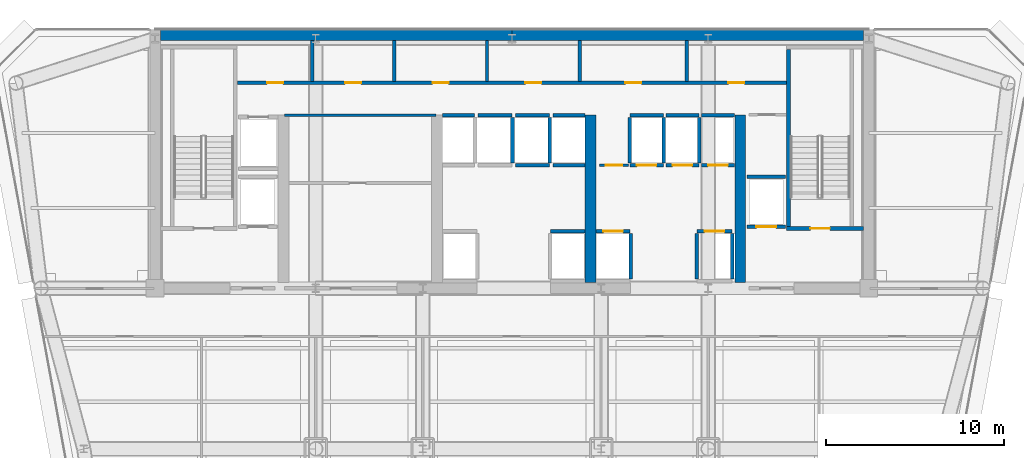
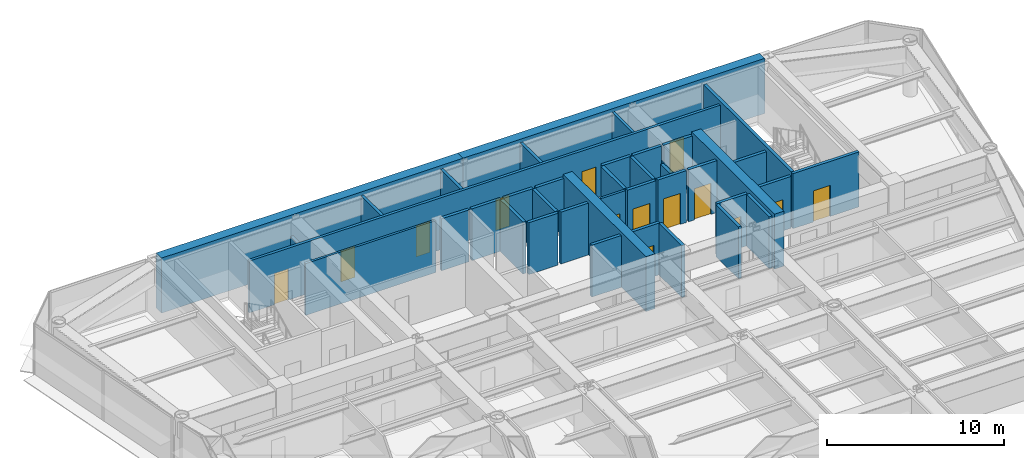
# One storey, part 11 of 16: 39 walls, 14 doors, 14 openings.
"""IFC4 building model written with IfcOpenShell, lengths in metres."""

from ifc_helpers import new_model, si_unit, direction, frame, frame_2d, origin, place, context, subcontext, project, spatial, rectangle, extrude, source, transform, mapped, material, layer, layer_set, type_object, element, fill, save


model = new_model("IFC4")

# Units and contexts
model_context = context("Model", 3, precision=1e-05, world=origin(), true_north=direction((0.0, 1.0)))
body_context = subcontext(model_context, "Body", "Model", "MODEL_VIEW")
ifc_project = project(units=[si_unit("LENGTHUNIT", "METRE"), si_unit("AREAUNIT", "SQUARE_METRE"), si_unit("VOLUMEUNIT", "CUBIC_METRE"), si_unit("PLANEANGLEUNIT", "RADIAN"), si_unit("MASSUNIT", "GRAM", prefix="KILO")], contexts=[model_context])

# Site, building, storey
site_placement = place(None, origin())
site = spatial("IfcSite", under=ifc_project, at=site_placement, CompositionType="ELEMENT")
building_placement = place(site_placement, origin())
building = spatial("IfcBuilding", under=site, at=building_placement, Name="Vaeldorn Concourse Tower", CompositionType="ELEMENT")
storey_placement = place(building_placement, frame((0.0, 0.0, 203.199951171875)))
storey = spatial("IfcBuildingStorey", under=building, at=storey_placement, Name="L52", CompositionType="ELEMENT", Elevation=203.199951171875)

# Walls
ifc_material_1 = material(Name="Concrete C50/60", Category="concrete")
ifc_layer_1 = layer(ifc_material_1, 0.60009765625)
ifc_layer_set_1 = layer_set([ifc_layer_1], Name="Concrete C50/60")
wall_type_1 = type_object("IfcWallType", Name="WL-CORE-600", PredefinedType="SHEAR", material=ifc_layer_set_1)
for number, where, z_axis, x_axis, name in (
    (1, (14.303955078125, 50.699951171875, 0.0), (0.0, 0.0, 1.0), (1.0, 0.0, 0.0), "Rear Core Shear Wall L52 N1"),
    (2, (34.001953125, 50.699951171875, 0.0), (0.0, 0.0, 1.0), (1.0, 0.0, 0.0), "Rear Core Shear Wall L52 N2"),
):
    element("IfcWall", number, at=place(storey_placement, frame(where, z_axis=z_axis, x_axis=x_axis)), inside=storey, type_object=wall_type_1, Name=name, PredefinedType="SHEAR", context=body_context, shape_type="SweptSolid", body=[
        extrude(rectangle(XDim=19.694091796875, YDim=0.60009765625, at=frame_2d((9.84716796875, 0.0))), origin(), (0.0, 0.0, 1.0), 3.800048828125),
    ])
for number, where, z_axis, x_axis, name in (
    (3, (38.39990234375, 36.820068359375, 0.0), (0.0, 0.0, 1.0), (0.0, 1.0, 0.0), "Rear Core Shear Wall L52 M3"),
    (4, (46.800048828125, 36.820068359375, 0.0), (0.0, 0.0, 1.0), (0.0, 1.0, 0.0), "Rear Core Shear Wall L52 M4"),
):
    element("IfcWall", number, at=place(storey_placement, frame(where, z_axis=z_axis, x_axis=x_axis)), inside=storey, type_object=wall_type_1, Name=name, PredefinedType="SHEAR", context=body_context, shape_type="SweptSolid", body=[
        extrude(rectangle(XDim=9.3798828125, YDim=0.60009765625, at=frame_2d((4.68994140625, 0.0))), origin(), (0.0, 0.0, 1.0), 3.800048828125),
    ])
ifc_material_2 = material(Name="Gypsum Board Partition", Category="gypsum")
ifc_layer_2 = layer(ifc_material_2, 0.14990234375)
ifc_layer_set_2 = layer_set([ifc_layer_2], Name="Gypsum Board Partition")
wall_type_2 = type_object("IfcWallType", Name="WL-PART-150", PredefinedType="PARTITIONING", material=ifc_layer_set_2)
wall_1_placement = place(storey_placement, frame((21.25, 46.199951171875, 0.0), z_axis=(0.0, 0.0, 1.0), x_axis=(1.0, 0.0, 0.0)))
element("IfcWall", 5, at=wall_1_placement, inside=storey, type_object=wall_type_2, Name="Interior Wall CW-L52-R1N", PredefinedType="PARTITIONING", context=body_context, shape_type="SweptSolid", body=[
    extrude(rectangle(XDim=8.5, YDim=0.14990234375, at=frame_2d((4.25, 0.0))), origin(), (0.0, 0.0, 1.0), 3.580078125),
])

# Wall, opening, door
wall_2_placement = place(storey_placement, frame((38.919921875, 43.39990234375, 0.0), z_axis=(0.0, 0.0, 1.0), x_axis=(1.0, 0.0, 0.0)))
wall_2 = element("IfcWall", 6, at=wall_2_placement, inside=storey, type_object=wall_type_2, Name="Interior Wall CW-L52-CCLINK", PredefinedType="PARTITIONING", context=body_context, shape_type="SweptSolid", body=[
    extrude(rectangle(XDim=1.60009765625, YDim=0.14990234375, at=frame_2d((0.800048828125, 0.0))), origin(), (0.0, 0.0, 1.0), 3.580078125),
])
opening_1_placement = place(wall_2_placement, frame((0.35009765625, 0.0, 0.0)))
opening_1 = element("IfcOpeningElement", 7, at=opening_1_placement, cuts=wall_2, Name="Opening D-02", PredefinedType="OPENING", context=body_context, shape_type="SweptSolid", body=[
    extrude(rectangle(XDim=0.89990234375, YDim=2.10009765625, at=frame_2d((0.449951171875, 1.050048828125))), frame((0.0, 0.0849609375, 0.0), z_axis=(0.0, -1.0, 0.0), x_axis=(1.0, 0.0, 0.0)), (0.0, 0.0, 1.0), 0.169921875),
])
ifc_material_3 = material(Name="Fire-Rated Timber Leaf", Category="wood")
door_type_1 = type_object("IfcDoorType", Name="DR-FD30-900", OperationType="NOTDEFINED", PredefinedType="DOOR", material=ifc_material_3)
shared_shape_1 = source(origin(), body_context, "Body", "SweptSolid", [
    extrude(rectangle(XDim=0.89990234375, YDim=2.10009765625, at=frame_2d((0.449951171875, 1.050048828125))), frame((0.0, 0.02490234375, 0.0), z_axis=(0.0, -1.0, 0.0), x_axis=(1.0, 0.0, 0.0)), (0.0, 0.0, 1.0), 0.050048828125),
])
door_1_placement = place(opening_1_placement, origin())
door_1 = element("IfcDoor", 8, at=door_1_placement, inside=storey, type_object=door_type_1, Name="Interior Door DR-L52-CCLINK", OperationType="SINGLE_SWING_LEFT", OverallHeight=2.10009765625, OverallWidth=0.89990234375, PredefinedType="DOOR", context=body_context, shape_type="MappedRepresentation", body=[
    mapped(shared_shape_1, transform((0.0, 0.0, 0.0), scale=1.0)),
])
fill(opening_1, door_1)

# Wall, openings, doors
ifc_layer_3 = layer(ifc_material_2, 0.179931640625)
ifc_layer_set_3 = layer_set([ifc_layer_3], Name="Gypsum Board Partition")
wall_type_3 = type_object("IfcWallType", Name="WL-PLUMB-180", PredefinedType="PLUMBINGWALL", material=ifc_layer_set_3)
wall_3_placement = place(storey_placement, frame((18.6201171875, 48.02001953125, 0.0), z_axis=(0.0, 0.0, 1.0), x_axis=(1.0, 0.0, 0.0)))
wall_3 = element("IfcWall", 9, at=wall_3_placement, inside=storey, type_object=wall_type_3, Name="Interior Wall CW-L52-NS3", PredefinedType="PLUMBINGWALL", context=body_context, shape_type="SweptSolid", body=[
    extrude(rectangle(XDim=30.759765625, YDim=0.179931640625, at=frame_2d((15.3798828125, 0.0))), origin(), (0.0, 0.0, 1.0), 3.580078125),
])
opening_2_placement = place(wall_3_placement, frame((1.655029296875, 0.0, 0.0)))
opening_2 = element("IfcOpeningElement", 10, at=opening_2_placement, cuts=wall_3, Name="Opening D-03", PredefinedType="OPENING", context=body_context, shape_type="SweptSolid", body=[
    extrude(rectangle(XDim=0.89990234375, YDim=2.14990234375, at=frame_2d((0.449951171875, 1.074951171875))), frame((0.0, 0.10009765625, 0.0), z_axis=(0.0, -1.0, 0.0), x_axis=(1.0, 0.0, 0.0)), (0.0, 0.0, 1.0), 0.199951171875),
])
opening_3_placement = place(wall_3_placement, frame((6.030029296875, 0.0, 0.0)))
opening_3 = element("IfcOpeningElement", 11, at=opening_3_placement, cuts=wall_3, Name="Opening D-03", PredefinedType="OPENING", context=body_context, shape_type="SweptSolid", body=[
    extrude(rectangle(XDim=0.89990234375, YDim=2.14990234375, at=frame_2d((0.449951171875, 1.074951171875))), frame((0.0, 0.10009765625, 0.0), z_axis=(0.0, -1.0, 0.0), x_axis=(1.0, 0.0, 0.0)), (0.0, 0.0, 1.0), 0.199951171875),
])
opening_4_placement = place(wall_3_placement, frame((10.929931640625, 0.0, 0.0)))
opening_4 = element("IfcOpeningElement", 12, at=opening_4_placement, cuts=wall_3, Name="Opening D-03", PredefinedType="OPENING", context=body_context, shape_type="SweptSolid", body=[
    extrude(rectangle(XDim=0.89990234375, YDim=2.14990234375, at=frame_2d((0.449951171875, 1.074951171875))), frame((0.0, 0.10009765625, 0.0), z_axis=(0.0, -1.0, 0.0), x_axis=(1.0, 0.0, 0.0)), (0.0, 0.0, 1.0), 0.199951171875),
])
opening_5_placement = place(wall_3_placement, frame((16.1298828125, 0.0, 0.0)))
opening_5 = element("IfcOpeningElement", 13, at=opening_5_placement, cuts=wall_3, Name="Opening D-03", PredefinedType="OPENING", context=body_context, shape_type="SweptSolid", body=[
    extrude(rectangle(XDim=0.89990234375, YDim=2.14990234375, at=frame_2d((0.449951171875, 1.074951171875))), frame((0.0, 0.10009765625, 0.0), z_axis=(0.0, -1.0, 0.0), x_axis=(1.0, 0.0, 0.0)), (0.0, 0.0, 1.0), 0.199951171875),
])
opening_6_placement = place(wall_3_placement, frame((21.72998046875, 0.0, 0.0)))
opening_6 = element("IfcOpeningElement", 14, at=opening_6_placement, cuts=wall_3, Name="Opening D-03", PredefinedType="OPENING", context=body_context, shape_type="SweptSolid", body=[
    extrude(rectangle(XDim=0.89990234375, YDim=2.14990234375, at=frame_2d((0.449951171875, 1.074951171875))), frame((0.0, 0.10009765625, 0.0), z_axis=(0.0, -1.0, 0.0), x_axis=(1.0, 0.0, 0.0)), (0.0, 0.0, 1.0), 0.199951171875),
])
opening_7_placement = place(wall_3_placement, frame((27.5048828125, 0.0, 0.0)))
opening_7 = element("IfcOpeningElement", 15, at=opening_7_placement, cuts=wall_3, Name="Opening D-03", PredefinedType="OPENING", context=body_context, shape_type="SweptSolid", body=[
    extrude(rectangle(XDim=0.89990234375, YDim=2.14990234375, at=frame_2d((0.449951171875, 1.074951171875))), frame((0.0, 0.10009765625, 0.0), z_axis=(0.0, -1.0, 0.0), x_axis=(1.0, 0.0, 0.0)), (0.0, 0.0, 1.0), 0.199951171875),
])
ifc_material_4 = material(Name="Acoustic Bronze-Framed Glass Door", Category="glass")
door_type_2 = type_object("IfcDoorType", Name="DR-INT-900", OperationType="NOTDEFINED", PredefinedType="DOOR", material=ifc_material_4)
shared_shape_2 = source(origin(), body_context, "Body", "SweptSolid", [
    extrude(rectangle(XDim=0.89990234375, YDim=2.14990234375, at=frame_2d((0.449951171875, 1.074951171875))), frame((0.0, 0.02490234375, 0.0), z_axis=(0.0, -1.0, 0.0), x_axis=(1.0, 0.0, 0.0)), (0.0, 0.0, 1.0), 0.050048828125),
])
door_2_placement = place(opening_2_placement, origin())
door_2 = element("IfcDoor", 16, at=door_2_placement, inside=storey, type_object=door_type_2, Name="Interior Door DR-L52-CS1", OperationType="SINGLE_SWING_LEFT", OverallHeight=2.14990234375, OverallWidth=0.89990234375, PredefinedType="DOOR", context=body_context, shape_type="MappedRepresentation", body=[
    mapped(shared_shape_2, transform((0.0, 0.0, 0.0), scale=1.0)),
])
fill(opening_2, door_2)
door_3_placement = place(opening_3_placement, origin())
door_3 = element("IfcDoor", 17, at=door_3_placement, inside=storey, type_object=door_type_2, Name="Interior Door DR-L52-CS2", OperationType="SINGLE_SWING_RIGHT", OverallHeight=2.14990234375, OverallWidth=0.89990234375, PredefinedType="DOOR", context=body_context, shape_type="MappedRepresentation", body=[
    mapped(shared_shape_2, transform((0.0, 0.0, 0.0), scale=1.0)),
])
fill(opening_3, door_3)
door_4_placement = place(opening_4_placement, origin())
door_4 = element("IfcDoor", 18, at=door_4_placement, inside=storey, type_object=door_type_2, Name="Interior Door DR-L52-CS3", OperationType="SINGLE_SWING_LEFT", OverallHeight=2.14990234375, OverallWidth=0.89990234375, PredefinedType="DOOR", context=body_context, shape_type="MappedRepresentation", body=[
    mapped(shared_shape_2, transform((0.0, 0.0, 0.0), scale=1.0)),
])
fill(opening_4, door_4)
door_5_placement = place(opening_5_placement, origin())
door_5 = element("IfcDoor", 19, at=door_5_placement, inside=storey, type_object=door_type_2, Name="Interior Door DR-L52-CS4", OperationType="SINGLE_SWING_RIGHT", OverallHeight=2.14990234375, OverallWidth=0.89990234375, PredefinedType="DOOR", context=body_context, shape_type="MappedRepresentation", body=[
    mapped(shared_shape_2, transform((0.0, 0.0, 0.0), scale=1.0)),
])
fill(opening_5, door_5)
door_6_placement = place(opening_6_placement, origin())
door_6 = element("IfcDoor", 20, at=door_6_placement, inside=storey, type_object=door_type_2, Name="Interior Door DR-L52-CS5", OperationType="SINGLE_SWING_LEFT", OverallHeight=2.14990234375, OverallWidth=0.89990234375, PredefinedType="DOOR", context=body_context, shape_type="MappedRepresentation", body=[
    mapped(shared_shape_2, transform((0.0, 0.0, 0.0), scale=1.0)),
])
fill(opening_6, door_6)
door_7_placement = place(opening_7_placement, origin())
door_7 = element("IfcDoor", 21, at=door_7_placement, inside=storey, type_object=door_type_2, Name="Interior Door DR-L52-CS6", OperationType="SINGLE_SWING_RIGHT", OverallHeight=2.14990234375, OverallWidth=0.89990234375, PredefinedType="DOOR", context=body_context, shape_type="MappedRepresentation", body=[
    mapped(shared_shape_2, transform((0.0, 0.0, 0.0), scale=1.0)),
])
fill(opening_7, door_7)

# Walls
wall_4_placement = place(storey_placement, frame((22.800048828125, 48.10009765625, 0.0), z_axis=(0.0, 0.0, 1.0), x_axis=(0.0, 1.0, 0.0)))
element("IfcWall", 22, at=wall_4_placement, inside=storey, type_object=wall_type_3, Name="Interior Wall CW-L52-NDIV1", PredefinedType="PLUMBINGWALL", context=body_context, shape_type="SweptSolid", body=[
    extrude(rectangle(XDim=2.27978515625, YDim=0.179931640625, at=frame_2d((1.139892578125, 0.0))), origin(), (0.0, 0.0, 1.0), 2.3701171875),
])
for number, where, z_axis, x_axis, name in (
    (23, (27.39990234375, 48.10009765625, 0.0), (0.0, 0.0, 1.0), (0.0, 1.0, 0.0), "Interior Wall CW-L52-NDIV2"),
    (24, (32.60009765625, 48.10009765625, 0.0), (0.0, 0.0, 1.0), (0.0, 1.0, 0.0), "Interior Wall CW-L52-NDIV3"),
    (25, (37.800048828125, 48.10009765625, 0.0), (0.0, 0.0, 1.0), (0.0, 1.0, 0.0), "Interior Wall CW-L52-NDIV4"),
    (26, (43.800048828125, 48.10009765625, 0.0), (0.0, 0.0, 1.0), (0.0, 1.0, 0.0), "Interior Wall CW-L52-NDIV5"),
):
    element("IfcWall", number, at=place(storey_placement, frame(where, z_axis=z_axis, x_axis=x_axis)), inside=storey, type_object=wall_type_3, Name=name, PredefinedType="PLUMBINGWALL", context=body_context, shape_type="SweptSolid", body=[
        extrude(rectangle(XDim=2.27978515625, YDim=0.179931640625, at=frame_2d((1.139892578125, 0.0))), origin(), (0.0, 0.0, 1.0), 3.580078125),
    ])

# Wall, opening, door
ifc_layer_4 = layer(ifc_material_1, 0.199951171875)
ifc_layer_set_4 = layer_set([ifc_layer_4], Name="Concrete C50/60")
wall_type_4 = type_object("IfcWallType", Name="WL-SHAFT-200", PredefinedType="SOLIDWALL", material=ifc_layer_set_4)
wall_5_placement = place(storey_placement, frame((49.39990234375, 39.85009765625, 0.0), z_axis=(0.0, 0.0, 1.0), x_axis=(1.0, 0.0, 0.0)))
wall_5 = element("IfcWall", 27, at=wall_5_placement, inside=storey, type_object=wall_type_4, Name="Stair Shaft Wall CW-L52-ST-2-S", PredefinedType="SOLIDWALL", context=body_context, shape_type="SweptSolid", body=[
    extrude(rectangle(XDim=4.300048828125, YDim=0.199951171875, at=frame_2d((2.14990234375, 0.0))), origin(), (0.0, 0.0, 1.0), 3.800048828125),
])
opening_8_placement = place(wall_5_placement, frame((1.324951171875, 0.0, 0.0)))
opening_8 = element("IfcOpeningElement", 28, at=opening_8_placement, cuts=wall_5, Name="Opening D-01", PredefinedType="OPENING", context=body_context, shape_type="SweptSolid", body=[
    extrude(rectangle(XDim=1.10009765625, YDim=2.14990234375, at=frame_2d((0.550048828125, 1.074951171875))), frame((0.0, 0.10986328125, 0.0), z_axis=(0.0, -1.0, 0.0), x_axis=(1.0, 0.0, 0.0)), (0.0, 0.0, 1.0), 0.219970703125),
])
ifc_material_5 = material(Name="Fire-Rated Timber and Steel Leaf", Category="steel")
door_type_3 = type_object("IfcDoorType", Name="DR-FD60-1100", OperationType="NOTDEFINED", PredefinedType="DOOR", material=ifc_material_5)
shared_shape_3 = source(origin(), body_context, "Body", "SweptSolid", [
    extrude(rectangle(XDim=1.10009765625, YDim=2.14990234375, at=frame_2d((0.550048828125, 1.074951171875))), frame((0.0, 0.02490234375, 0.0), z_axis=(0.0, -1.0, 0.0), x_axis=(1.0, 0.0, 0.0)), (0.0, 0.0, 1.0), 0.050048828125),
])
door_8_placement = place(opening_8_placement, origin())
door_8 = element("IfcDoor", 29, at=door_8_placement, inside=storey, type_object=door_type_3, Name="Interior Door DR-L52-ST-2", OperationType="SINGLE_SWING_RIGHT", OverallHeight=2.14990234375, OverallWidth=1.10009765625, PredefinedType="DOOR", context=body_context, shape_type="MappedRepresentation", body=[
    mapped(shared_shape_3, transform((0.0, 0.0, 0.0), scale=1.0)),
])
fill(opening_8, door_8)

# Walls
wall_6_placement = place(storey_placement, frame((49.5, 39.9599609375, 0.0), z_axis=(0.0, 0.0, 1.0), x_axis=(0.0, 1.0, 0.0)))
element("IfcWall", 30, at=wall_6_placement, inside=storey, type_object=wall_type_4, Name="Stair Shaft Wall CW-L52-ST-2-W", PredefinedType="SOLIDWALL", context=body_context, shape_type="SweptSolid", body=[
    extrude(rectangle(XDim=9.929931640625, YDim=0.199951171875, at=frame_2d((4.96484375, 0.0))), origin(), (0.0, 0.0, 1.0), 3.800048828125),
])
wall_7_placement = place(storey_placement, frame((36.169921875, 39.699951171875, 0.0), z_axis=(0.0, 0.0, 1.0), x_axis=(1.0, 0.0, 0.0)))
element("IfcWall", 31, at=wall_7_placement, inside=storey, type_object=wall_type_4, Name="Interior Wall CW-L52-LF-LF-08", PredefinedType="SOLIDWALL", context=body_context, shape_type="SweptSolid", body=[
    extrude(rectangle(XDim=1.920166015625, YDim=0.199951171875, at=frame_2d((0.9599609375, 0.0))), origin(), (0.0, 0.0, 1.0), 3.580078125),
])
wall_8_placement = place(storey_placement, frame((30.110107421875, 46.199951171875, 0.0), z_axis=(0.0, 0.0, 1.0), x_axis=(1.0, 0.0, 0.0)))
element("IfcWall", 32, at=wall_8_placement, inside=storey, type_object=wall_type_4, Name="Interior Wall CW-L52-LFB-LF-09", PredefinedType="SOLIDWALL", context=body_context, shape_type="SweptSolid", body=[
    extrude(rectangle(XDim=1.7998046875, YDim=0.199951171875, at=frame_2d((0.89990234375, 0.0))), origin(), (0.0, 0.0, 1.0), 3.580078125),
])
wall_9_placement = place(storey_placement, frame((32.090087890625, 46.199951171875, 0.0), z_axis=(0.0, 0.0, 1.0), x_axis=(1.0, 0.0, 0.0)))
element("IfcWall", 33, at=wall_9_placement, inside=storey, type_object=wall_type_4, Name="Interior Wall CW-L52-LFB-LF-10", PredefinedType="SOLIDWALL", context=body_context, shape_type="SweptSolid", body=[
    extrude(rectangle(XDim=1.919921875, YDim=0.199951171875, at=frame_2d((0.9599609375, 0.0))), origin(), (0.0, 0.0, 1.0), 3.580078125),
])
wall_10_placement = place(storey_placement, frame((34.030029296875, 43.52001953125, 0.0), z_axis=(0.0, 0.0, 1.0), x_axis=(0.0, 1.0, 0.0)))
element("IfcWall", 34, at=wall_10_placement, inside=storey, type_object=wall_type_4, Name="Interior Wall CW-L52-LFE-LF-10", PredefinedType="SOLIDWALL", context=body_context, shape_type="SweptSolid", body=[
    extrude(rectangle(XDim=2.56005859375, YDim=0.199951171875, at=frame_2d((1.280029296875, 0.0))), origin(), (0.0, 0.0, 1.0), 3.580078125),
])
for number, where, z_axis, x_axis, name in (
    (35, (34.18994140625, 43.39990234375, 0.0), (0.0, 0.0, 1.0), (1.0, 0.0, 0.0), "Interior Wall CW-L52-LF-LF-11"),
    (36, (34.18994140625, 46.199951171875, 0.0), (0.0, 0.0, 1.0), (1.0, 0.0, 0.0), "Interior Wall CW-L52-LFB-LF-11"),
):
    element("IfcWall", number, at=place(storey_placement, frame(where, z_axis=z_axis, x_axis=x_axis)), inside=storey, type_object=wall_type_4, Name=name, PredefinedType="SOLIDWALL", context=body_context, shape_type="SweptSolid", body=[
        extrude(rectangle(XDim=1.920166015625, YDim=0.199951171875, at=frame_2d((0.9599609375, 0.0))), origin(), (0.0, 0.0, 1.0), 3.580078125),
    ])
wall_11_placement = place(storey_placement, frame((36.1298828125, 43.52001953125, 0.0), z_axis=(0.0, 0.0, 1.0), x_axis=(0.0, 1.0, 0.0)))
element("IfcWall", 37, at=wall_11_placement, inside=storey, type_object=wall_type_4, Name="Interior Wall CW-L52-LFE-LF-11", PredefinedType="SOLIDWALL", context=body_context, shape_type="SweptSolid", body=[
    extrude(rectangle(XDim=2.56005859375, YDim=0.199951171875, at=frame_2d((1.280029296875, 0.0))), origin(), (0.0, 0.0, 1.0), 3.580078125),
])
for number, where, z_axis, x_axis, name in (
    (38, (36.2900390625, 43.39990234375, 0.0), (0.0, 0.0, 1.0), (1.0, 0.0, 0.0), "Interior Wall CW-L52-LF-LF-12"),
    (39, (36.2900390625, 46.199951171875, 0.0), (0.0, 0.0, 1.0), (1.0, 0.0, 0.0), "Interior Wall CW-L52-LFB-LF-12"),
):
    element("IfcWall", number, at=place(storey_placement, frame(where, z_axis=z_axis, x_axis=x_axis)), inside=storey, type_object=wall_type_4, Name=name, PredefinedType="SOLIDWALL", context=body_context, shape_type="SweptSolid", body=[
        extrude(rectangle(XDim=1.800048828125, YDim=0.199951171875, at=frame_2d((0.89990234375, 0.0))), origin(), (0.0, 0.0, 1.0), 3.580078125),
    ])

# Wall, opening, door
wall_12_placement = place(storey_placement, frame((38.7099609375, 39.699951171875, 0.0), z_axis=(0.0, 0.0, 1.0), x_axis=(1.0, 0.0, 0.0)))
wall_12 = element("IfcWall", 40, at=wall_12_placement, inside=storey, type_object=wall_type_4, Name="Interior Wall CW-L52-LF-LF-13", PredefinedType="SOLIDWALL", context=body_context, shape_type="SweptSolid", body=[
    extrude(rectangle(XDim=1.919921875, YDim=0.199951171875, at=frame_2d((0.9599609375, 0.0))), origin(), (0.0, 0.0, 1.0), 3.580078125),
])
opening_9_placement = place(wall_12_placement, frame((0.409912109375, 0.0, 0.0)))
opening_9 = element("IfcOpeningElement", 41, at=opening_9_placement, cuts=wall_12, Name="Opening LD-1", PredefinedType="OPENING", context=body_context, shape_type="SweptSolid", body=[
    extrude(rectangle(XDim=1.10009765625, YDim=2.14990234375, at=frame_2d((0.550048828125, 1.074951171875))), frame((0.0, 0.10986328125, 0.0), z_axis=(0.0, -1.0, 0.0), x_axis=(1.0, 0.0, 0.0)), (0.0, 0.0, 1.0), 0.219970703125),
])
ifc_material_6 = material(Name="Anodised Bronze Aluminium", Category="aluminium")
door_type_4 = type_object("IfcDoorType", Name="DR-LIFT-SLIDE-1100", OperationType="DOUBLE_DOOR_SLIDING", PredefinedType="DOOR", material=ifc_material_6)
door_9_placement = place(opening_9_placement, origin())
door_9 = element("IfcDoor", 42, at=door_9_placement, inside=storey, type_object=door_type_4, Name="Lift Landing Door LD-L52-LF-13", OperationType="DOUBLE_DOOR_SLIDING", OverallHeight=2.14990234375, OverallWidth=1.10009765625, PredefinedType="DOOR", context=body_context, shape_type="MappedRepresentation", body=[
    mapped(shared_shape_3, transform((0.0, 0.0, 0.0), scale=1.0)),
])
fill(opening_9, door_9)

# Wall
wall_13_placement = place(storey_placement, frame((40.64990234375, 37.02001953125, 0.0), z_axis=(0.0, 0.0, 1.0), x_axis=(0.0, 1.0, 0.0)))
element("IfcWall", 43, at=wall_13_placement, inside=storey, type_object=wall_type_4, Name="Interior Wall CW-L52-LFE-LF-13", PredefinedType="SOLIDWALL", context=body_context, shape_type="SweptSolid", body=[
    extrude(rectangle(XDim=2.56005859375, YDim=0.199951171875, at=frame_2d((1.280029296875, 0.0))), origin(), (0.0, 0.0, 1.0), 3.580078125),
])

# Wall, opening, door
wall_14_placement = place(storey_placement, frame((44.3701171875, 39.699951171875, 0.0), z_axis=(0.0, 0.0, 1.0), x_axis=(1.0, 0.0, 0.0)))
wall_14 = element("IfcWall", 44, at=wall_14_placement, inside=storey, type_object=wall_type_4, Name="Interior Wall CW-L52-LF-LF-14", PredefinedType="SOLIDWALL", context=body_context, shape_type="SweptSolid", body=[
    extrude(rectangle(XDim=1.9599609375, YDim=0.199951171875, at=frame_2d((0.97998046875, 0.0))), origin(), (0.0, 0.0, 1.0), 3.580078125),
])
opening_10_placement = place(wall_14_placement, frame((0.429931640625, 0.0, 0.0)))
opening_10 = element("IfcOpeningElement", 45, at=opening_10_placement, cuts=wall_14, Name="Opening LD-1", PredefinedType="OPENING", context=body_context, shape_type="SweptSolid", body=[
    extrude(rectangle(XDim=1.10009765625, YDim=2.14990234375, at=frame_2d((0.550048828125, 1.074951171875))), frame((0.0, 0.10986328125, 0.0), z_axis=(0.0, -1.0, 0.0), x_axis=(1.0, 0.0, 0.0)), (0.0, 0.0, 1.0), 0.219970703125),
])
door_10_placement = place(opening_10_placement, origin())
door_10 = element("IfcDoor", 46, at=door_10_placement, inside=storey, type_object=door_type_4, Name="Lift Landing Door LD-L52-LF-14", OperationType="DOUBLE_DOOR_SLIDING", OverallHeight=2.14990234375, OverallWidth=1.10009765625, PredefinedType="DOOR", context=body_context, shape_type="MappedRepresentation", body=[
    mapped(shared_shape_3, transform((0.0, 0.0, 0.0), scale=1.0)),
])
fill(opening_10, door_10)

# Walls
for number, where, z_axis, x_axis, name in (
    (47, (44.35009765625, 37.02001953125, 0.0), (0.0, 0.0, 1.0), (0.0, 1.0, 0.0), "Interior Wall CW-L52-LFW-LF-14"),
    (48, (46.35009765625, 37.02001953125, 0.0), (0.0, 0.0, 1.0), (0.0, 1.0, 0.0), "Interior Wall CW-L52-LFE-LF-14"),
):
    element("IfcWall", number, at=place(storey_placement, frame(where, z_axis=z_axis, x_axis=x_axis)), inside=storey, type_object=wall_type_4, Name=name, PredefinedType="SOLIDWALL", context=body_context, shape_type="SweptSolid", body=[
        extrude(rectangle(XDim=2.56005859375, YDim=0.199951171875, at=frame_2d((1.280029296875, 0.0))), origin(), (0.0, 0.0, 1.0), 3.580078125),
    ])

# Wall, opening, door
wall_15_placement = place(storey_placement, frame((40.6201171875, 43.39990234375, 0.0), z_axis=(0.0, 0.0, 1.0), x_axis=(1.0, 0.0, 0.0)))
wall_15 = element("IfcWall", 49, at=wall_15_placement, inside=storey, type_object=wall_type_4, Name="Interior Wall CW-L52-LF-LF-15", PredefinedType="SOLIDWALL", context=body_context, shape_type="SweptSolid", body=[
    extrude(rectangle(XDim=1.85986328125, YDim=0.199951171875, at=frame_2d((0.929931640625, 0.0))), origin(), (0.0, 0.0, 1.0), 3.580078125),
])
opening_11_placement = place(wall_15_placement, frame((0.3798828125, 0.0, 0.0)))
opening_11 = element("IfcOpeningElement", 50, at=opening_11_placement, cuts=wall_15, Name="Opening LD-1", PredefinedType="OPENING", context=body_context, shape_type="SweptSolid", body=[
    extrude(rectangle(XDim=1.10009765625, YDim=2.14990234375, at=frame_2d((0.550048828125, 1.074951171875))), frame((0.0, 0.10986328125, 0.0), z_axis=(0.0, -1.0, 0.0), x_axis=(1.0, 0.0, 0.0)), (0.0, 0.0, 1.0), 0.219970703125),
])
door_11_placement = place(opening_11_placement, origin())
door_11 = element("IfcDoor", 51, at=door_11_placement, inside=storey, type_object=door_type_4, Name="Lift Landing Door LD-L52-LF-15", OperationType="DOUBLE_DOOR_SLIDING", OverallHeight=2.14990234375, OverallWidth=1.10009765625, PredefinedType="DOOR", context=body_context, shape_type="MappedRepresentation", body=[
    mapped(shared_shape_3, transform((0.0, 0.0, 0.0), scale=1.0)),
])
fill(opening_11, door_11)

# Walls
wall_16_placement = place(storey_placement, frame((40.6201171875, 46.199951171875, 0.0), z_axis=(0.0, 0.0, 1.0), x_axis=(1.0, 0.0, 0.0)))
element("IfcWall", 52, at=wall_16_placement, inside=storey, type_object=wall_type_4, Name="Interior Wall CW-L52-LFB-LF-15", PredefinedType="SOLIDWALL", context=body_context, shape_type="SweptSolid", body=[
    extrude(rectangle(XDim=1.85986328125, YDim=0.199951171875, at=frame_2d((0.929931640625, 0.0))), origin(), (0.0, 0.0, 1.0), 3.580078125),
])
for number, where, z_axis, x_axis, name in (
    (53, (40.60009765625, 43.52001953125, 0.0), (0.0, 0.0, 1.0), (0.0, 1.0, 0.0), "Interior Wall CW-L52-LFW-LF-15"),
    (54, (42.5, 43.52001953125, 0.0), (0.0, 0.0, 1.0), (0.0, 1.0, 0.0), "Interior Wall CW-L52-LFE-LF-15"),
):
    element("IfcWall", number, at=place(storey_placement, frame(where, z_axis=z_axis, x_axis=x_axis)), inside=storey, type_object=wall_type_4, Name=name, PredefinedType="SOLIDWALL", context=body_context, shape_type="SweptSolid", body=[
        extrude(rectangle(XDim=2.56005859375, YDim=0.199951171875, at=frame_2d((1.280029296875, 0.0))), origin(), (0.0, 0.0, 1.0), 3.580078125),
    ])

# Wall, opening, door
wall_17_placement = place(storey_placement, frame((42.6201171875, 43.39990234375, 0.0), z_axis=(0.0, 0.0, 1.0), x_axis=(1.0, 0.0, 0.0)))
wall_17 = element("IfcWall", 55, at=wall_17_placement, inside=storey, type_object=wall_type_4, Name="Interior Wall CW-L52-LF-LF-16", PredefinedType="SOLIDWALL", context=body_context, shape_type="SweptSolid", body=[
    extrude(rectangle(XDim=1.85986328125, YDim=0.199951171875, at=frame_2d((0.929931640625, 0.0))), origin(), (0.0, 0.0, 1.0), 3.580078125),
])
opening_12_placement = place(wall_17_placement, frame((0.3798828125, 0.0, 0.0)))
opening_12 = element("IfcOpeningElement", 56, at=opening_12_placement, cuts=wall_17, Name="Opening LD-1", PredefinedType="OPENING", context=body_context, shape_type="SweptSolid", body=[
    extrude(rectangle(XDim=1.10009765625, YDim=2.14990234375, at=frame_2d((0.550048828125, 1.074951171875))), frame((0.0, 0.10986328125, 0.0), z_axis=(0.0, -1.0, 0.0), x_axis=(1.0, 0.0, 0.0)), (0.0, 0.0, 1.0), 0.219970703125),
])
door_12_placement = place(opening_12_placement, origin())
door_12 = element("IfcDoor", 57, at=door_12_placement, inside=storey, type_object=door_type_4, Name="Lift Landing Door LD-L52-LF-16", OperationType="DOUBLE_DOOR_SLIDING", OverallHeight=2.14990234375, OverallWidth=1.10009765625, PredefinedType="DOOR", context=body_context, shape_type="MappedRepresentation", body=[
    mapped(shared_shape_3, transform((0.0, 0.0, 0.0), scale=1.0)),
])
fill(opening_12, door_12)

# Walls
wall_18_placement = place(storey_placement, frame((42.6201171875, 46.199951171875, 0.0), z_axis=(0.0, 0.0, 1.0), x_axis=(1.0, 0.0, 0.0)))
element("IfcWall", 58, at=wall_18_placement, inside=storey, type_object=wall_type_4, Name="Interior Wall CW-L52-LFB-LF-16", PredefinedType="SOLIDWALL", context=body_context, shape_type="SweptSolid", body=[
    extrude(rectangle(XDim=1.85986328125, YDim=0.199951171875, at=frame_2d((0.929931640625, 0.0))), origin(), (0.0, 0.0, 1.0), 3.580078125),
])
wall_19_placement = place(storey_placement, frame((44.5, 43.52001953125, 0.0), z_axis=(0.0, 0.0, 1.0), x_axis=(0.0, 1.0, 0.0)))
element("IfcWall", 59, at=wall_19_placement, inside=storey, type_object=wall_type_4, Name="Interior Wall CW-L52-LFE-LF-16", PredefinedType="SOLIDWALL", context=body_context, shape_type="SweptSolid", body=[
    extrude(rectangle(XDim=2.56005859375, YDim=0.199951171875, at=frame_2d((1.280029296875, 0.0))), origin(), (0.0, 0.0, 1.0), 2.3701171875),
])

# Wall, opening, door
wall_20_placement = place(storey_placement, frame((44.6201171875, 43.39990234375, 0.0), z_axis=(0.0, 0.0, 1.0), x_axis=(1.0, 0.0, 0.0)))
wall_20 = element("IfcWall", 60, at=wall_20_placement, inside=storey, type_object=wall_type_4, Name="Interior Wall CW-L52-LF-LF-17", PredefinedType="SOLIDWALL", context=body_context, shape_type="SweptSolid", body=[
    extrude(rectangle(XDim=1.85986328125, YDim=0.199951171875, at=frame_2d((0.929931640625, 0.0))), origin(), (0.0, 0.0, 1.0), 3.580078125),
])
opening_13_placement = place(wall_20_placement, frame((0.3798828125, 0.0, 0.0)))
opening_13 = element("IfcOpeningElement", 61, at=opening_13_placement, cuts=wall_20, Name="Opening LD-1", PredefinedType="OPENING", context=body_context, shape_type="SweptSolid", body=[
    extrude(rectangle(XDim=1.10009765625, YDim=2.14990234375, at=frame_2d((0.550048828125, 1.074951171875))), frame((0.0, 0.10986328125, 0.0), z_axis=(0.0, -1.0, 0.0), x_axis=(1.0, 0.0, 0.0)), (0.0, 0.0, 1.0), 0.219970703125),
])
door_13_placement = place(opening_13_placement, origin())
door_13 = element("IfcDoor", 62, at=door_13_placement, inside=storey, type_object=door_type_4, Name="Lift Landing Door LD-L52-LF-17", OperationType="DOUBLE_DOOR_SLIDING", OverallHeight=2.14990234375, OverallWidth=1.10009765625, PredefinedType="DOOR", context=body_context, shape_type="MappedRepresentation", body=[
    mapped(shared_shape_3, transform((0.0, 0.0, 0.0), scale=1.0)),
])
fill(opening_13, door_13)

# Wall
wall_21_placement = place(storey_placement, frame((44.6201171875, 46.199951171875, 0.0), z_axis=(0.0, 0.0, 1.0), x_axis=(1.0, 0.0, 0.0)))
element("IfcWall", 63, at=wall_21_placement, inside=storey, type_object=wall_type_4, Name="Interior Wall CW-L52-LFB-LF-17", PredefinedType="SOLIDWALL", context=body_context, shape_type="SweptSolid", body=[
    extrude(rectangle(XDim=1.85986328125, YDim=0.199951171875, at=frame_2d((0.929931640625, 0.0))), origin(), (0.0, 0.0, 1.0), 3.580078125),
])

# Wall, opening, door
wall_22_placement = place(storey_placement, frame((47.169921875, 39.949951171875, 0.0), z_axis=(0.0, 0.0, 1.0), x_axis=(1.0, 0.0, 0.0)))
wall_22 = element("IfcWall", 64, at=wall_22_placement, inside=storey, type_object=wall_type_4, Name="Interior Wall CW-L52-LF-LF-FF2", PredefinedType="SOLIDWALL", context=body_context, shape_type="SweptSolid", body=[
    extrude(rectangle(XDim=2.16015625, YDim=0.199951171875, at=frame_2d((1.080078125, 0.0))), origin(), (0.0, 0.0, 1.0), 3.580078125),
])
opening_14_placement = place(wall_22_placement, frame((0.530029296875, 0.0, 0.0)))
opening_14 = element("IfcOpeningElement", 65, at=opening_14_placement, cuts=wall_22, Name="Opening LD-1", PredefinedType="OPENING", context=body_context, shape_type="SweptSolid", body=[
    extrude(rectangle(XDim=1.10009765625, YDim=2.14990234375, at=frame_2d((0.550048828125, 1.074951171875))), frame((0.0, 0.10986328125, 0.0), z_axis=(0.0, -1.0, 0.0), x_axis=(1.0, 0.0, 0.0)), (0.0, 0.0, 1.0), 0.219970703125),
])
door_14_placement = place(opening_14_placement, origin())
door_14 = element("IfcDoor", 66, at=door_14_placement, inside=storey, type_object=door_type_4, Name="Lift Landing Door LD-L52-LF-FF2", OperationType="DOUBLE_DOOR_SLIDING", OverallHeight=2.14990234375, OverallWidth=1.10009765625, PredefinedType="DOOR", context=body_context, shape_type="MappedRepresentation", body=[
    mapped(shared_shape_3, transform((0.0, 0.0, 0.0), scale=1.0)),
])
fill(opening_14, door_14)

# Wall
wall_23_placement = place(storey_placement, frame((47.169921875, 42.75, 0.0), z_axis=(0.0, 0.0, 1.0), x_axis=(1.0, 0.0, 0.0)))
element("IfcWall", 67, at=wall_23_placement, inside=storey, type_object=wall_type_4, Name="Interior Wall CW-L52-LFB-LF-FF2", PredefinedType="SOLIDWALL", context=body_context, shape_type="SweptSolid", body=[
    extrude(rectangle(XDim=2.16015625, YDim=0.199951171875, at=frame_2d((1.080078125, 0.0))), origin(), (0.0, 0.0, 1.0), 3.580078125),
])

save(model, "model.ifc")
